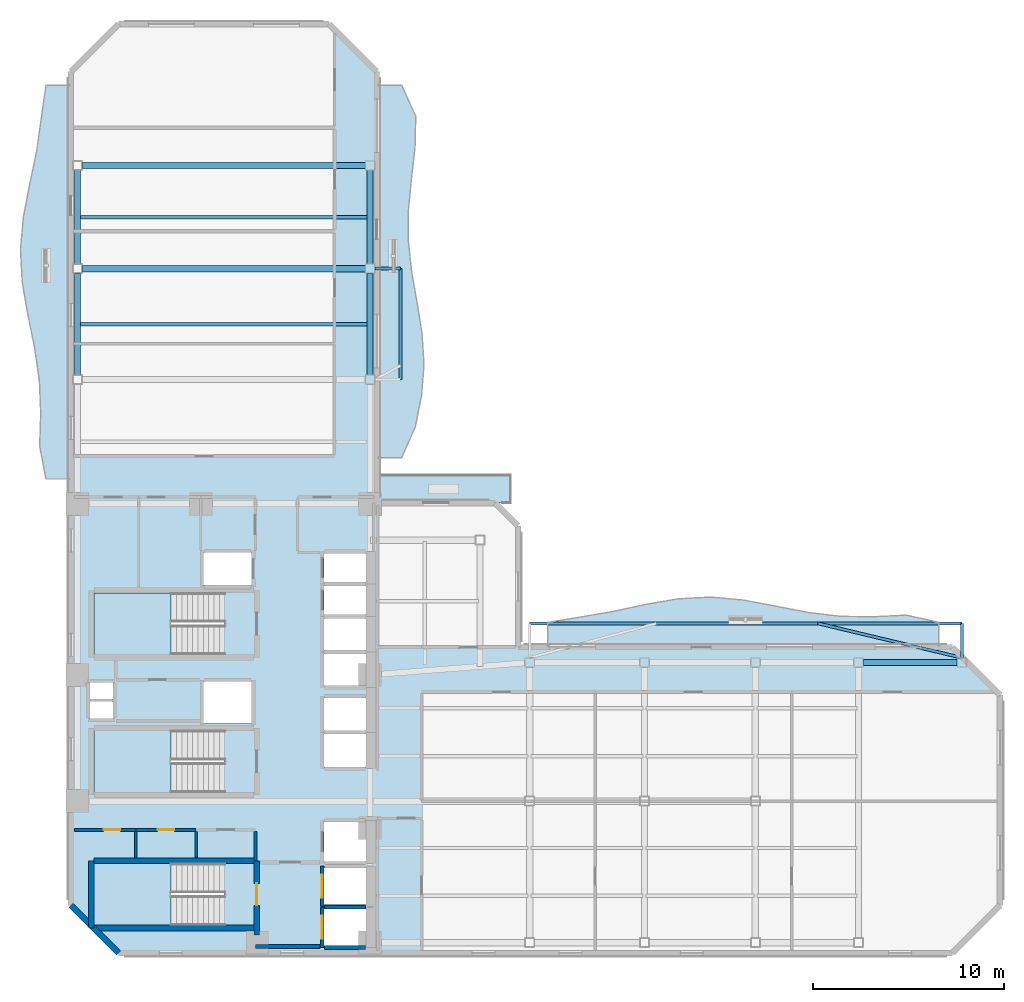
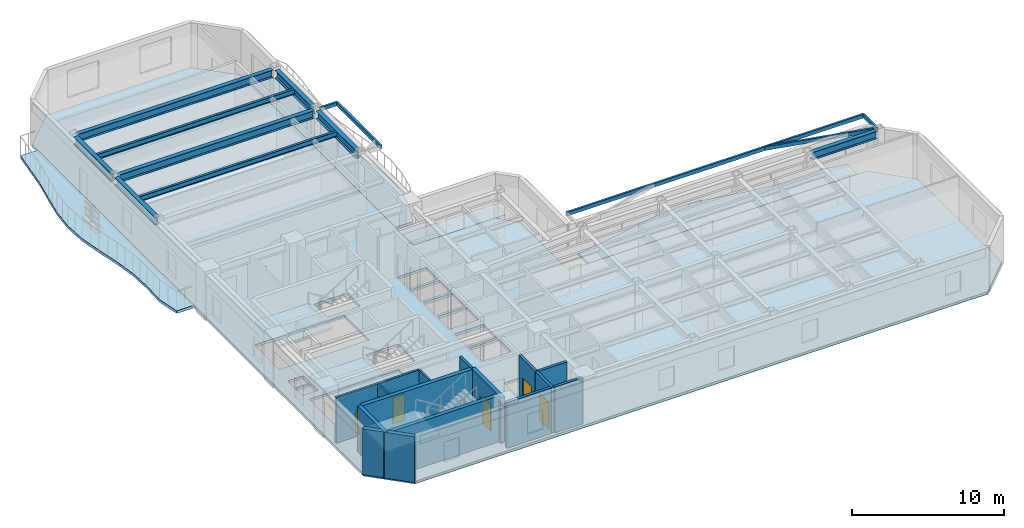
# One storey, part 2 of 12: 15 walls, 14 beams, 8 slabs, 5 doors, 5 openings, 3 elements without a shape of their own.
"""IFC4 building model written with IfcOpenShell, lengths in metres."""

import ifcopenshell
import ifcopenshell.guid

model = None  # the IFC model being written
_history = None  # IfcOwnerHistory: only IFC2X3 demands one
_inside = {}  # id of a spatial element -> (the spatial element, [elements in it])
_under = {}  # id of a project, library or spatial element -> (it, [spatial elements below it])
_declared = {}  # id of a project -> (the project, [libraries it declares])
_typed = {}  # id of a type object -> (the type object, [elements of that type])
_made_of = {}  # id of a material, layer set ... -> (it, [elements and type objects made of it])


def new_model(schema):
    """Start an empty IFC model of exactly this schema.

    Asked for "IFC4X3", IfcOpenShell would pick the latest addendum, in which some entities
    have other attributes; the version numbers below select the first issue.
    IFC2X3 requires an IfcOwnerHistory on every rooted entity: one is made here for all.
    """
    global model, _history
    if schema == "IFC4X3":
        model = ifcopenshell.file(schema_version=(4, 3, 0, 0))
    else:
        model = ifcopenshell.file(schema=schema)
    _inside.clear()
    _under.clear()
    _declared.clear()
    _typed.clear()
    _made_of.clear()
    _history = None
    if model.schema == "IFC2X3":
        org = make("IfcOrganization", Name="unknown")
        user = make(
            "IfcPersonAndOrganization",
            ThePerson=make("IfcPerson", FamilyName="unknown"),
            TheOrganization=org,
        )
        app = make(
            "IfcApplication",
            ApplicationDeveloper=org,
            Version="unknown",
            ApplicationFullName="unknown",
            ApplicationIdentifier="unknown",
        )
        _history = make(
            "IfcOwnerHistory",
            OwningUser=user,
            OwningApplication=app,
            ChangeAction="ADDED",
            CreationDate=0,
        )
    return model


def make(cls, **values):
    """One entity of the class cls with the attributes given. An attribute that is None is left unset."""
    return model.create_entity(
        cls, **{name: value for name, value in values.items() if value is not None}
    )


def rooted(cls, **values):
    """An entity with a GlobalId (a new one), such as an element, a storey or a relation."""
    return make(cls, GlobalId=ifcopenshell.guid.new(), OwnerHistory=_history, **values)


def si_unit(unit_type, name, prefix=None):
    """IfcSIUnit, for example si_unit("LENGTHUNIT", "METRE", prefix="MILLI")."""
    return make("IfcSIUnit", UnitType=unit_type, Prefix=prefix, Name=name)


def assignment(units):
    """IfcUnitAssignment: the units of a project."""
    return None if units is None else make("IfcUnitAssignment", Units=units)


def point(xyz):
    """IfcCartesianPoint."""
    return None if xyz is None else make("IfcCartesianPoint", Coordinates=xyz)


def direction(xyz):
    """IfcDirection."""
    return None if xyz is None else make("IfcDirection", DirectionRatios=xyz)


def frame(location, z_axis=None, x_axis=None):
    """IfcAxis2Placement3D, a coordinate frame: its origin and axes. An axis left out is left unset."""
    return make(
        "IfcAxis2Placement3D",
        Location=point(location),
        Axis=direction(z_axis),
        RefDirection=direction(x_axis),
    )


def frame_2d(location, x_axis=None):
    """IfcAxis2Placement2D, a coordinate frame in the plane: its origin and x axis."""
    return make(
        "IfcAxis2Placement2D", Location=point(location), RefDirection=direction(x_axis)
    )


def origin():
    """The frame at (0, 0, 0) with its axes left unset."""
    return frame((0.0, 0.0, 0.0))


def origin_2d():
    """The frame at (0, 0) in the plane with its x axis left unset."""
    return frame_2d((0.0, 0.0))


def place(relative_to, where):
    """IfcLocalPlacement: puts the frame where relative to a parent placement (None: the world)."""
    return make(
        "IfcLocalPlacement", PlacementRelTo=relative_to, RelativePlacement=where
    )


def context(
    kind, dimensions, precision=None, world=None, true_north=None, identifier=None
):
    """IfcGeometricRepresentationContext, for example the 3D "Model" context."""
    return make(
        "IfcGeometricRepresentationContext",
        ContextIdentifier=identifier,
        ContextType=kind,
        CoordinateSpaceDimension=dimensions,
        Precision=precision,
        WorldCoordinateSystem=world,
        TrueNorth=true_north,
    )


def subcontext(parent, identifier, kind, view, scale=None):
    """IfcGeometricRepresentationSubContext, for example "Body" below "Model"."""
    return make(
        "IfcGeometricRepresentationSubContext",
        ContextIdentifier=identifier,
        ContextType=kind,
        ParentContext=parent,
        TargetScale=scale,
        TargetView=view,
    )


def project(units=None, contexts=None):
    """IfcProject with its units and contexts."""
    return rooted(
        "IfcProject",
        Name="project",
        RepresentationContexts=contexts,
        UnitsInContext=assignment(units),
    )


def spatial(cls, under=None, at=None, **own):
    """A site, building, storey or space (cls), placed at a placement, below another one or the project."""
    s = rooted(cls, ObjectPlacement=at, **own)
    if under is not None:
        _under.setdefault(under.id(), (under, []))[1].append(s)
    return s


def polyline(points):
    """IfcPolyline through the points."""
    return make("IfcPolyline", Points=[point(p) for p in points])


def profile(cls, at=None, kind="AREA", **sizes):
    """A parametric profile (cls). Its sizes go by their IFC names, for example OverallWidth=200.0."""
    return make(cls, ProfileType=kind, Position=at, **sizes)


def rectangle(**sizes):
    """IfcRectangleProfileDef."""
    return profile("IfcRectangleProfileDef", **sizes)


def hollow_rectangle(**sizes):
    """IfcRectangleHollowProfileDef."""
    return profile("IfcRectangleHollowProfileDef", **sizes)


def i_section(**sizes):
    """IfcIShapeProfileDef."""
    return profile("IfcIShapeProfileDef", **sizes)


def outline(outer, holes=None, kind="AREA"):
    """IfcArbitraryClosedProfileDef: a profile drawn as a closed curve; with holes, ...WithVoids."""
    if holes is None:
        return make("IfcArbitraryClosedProfileDef", ProfileType=kind, OuterCurve=outer)
    return make(
        "IfcArbitraryProfileDefWithVoids",
        ProfileType=kind,
        OuterCurve=outer,
        InnerCurves=holes,
    )


def extrude(swept, where, along, depth):
    """IfcExtrudedAreaSolid: the profile swept, set in the frame where, extruded along a direction by depth."""
    return make(
        "IfcExtrudedAreaSolid",
        SweptArea=swept,
        Position=where,
        ExtrudedDirection=direction(along),
        Depth=depth,
    )


def shape(context_of_items, identifier, shape_type, items):
    """IfcShapeRepresentation: the items that make up one representation, for example the "Body"."""
    return make(
        "IfcShapeRepresentation",
        ContextOfItems=context_of_items,
        RepresentationIdentifier=identifier,
        RepresentationType=shape_type,
        Items=items,
    )


def material(Name=None, Category=None):
    """IfcMaterial."""
    return make("IfcMaterial", Name=Name, Category=Category)


def layer(
    of_material, thickness, ventilated=None, Name=None, Category=None, Priority=None
):
    """IfcMaterialLayer: one layer of a wall or slab, of a material (None: an air gap)."""
    return make(
        "IfcMaterialLayer",
        Material=of_material,
        LayerThickness=thickness,
        IsVentilated=ventilated,
        Name=Name,
        Category=Category,
        Priority=Priority,
    )


def layer_set(layers, Name=None):
    """IfcMaterialLayerSet."""
    return make("IfcMaterialLayerSet", MaterialLayers=layers, LayerSetName=Name)


def material_profile(
    of_material, cross_section, Name=None, Category=None, Priority=None
):
    """IfcMaterialProfile: a cross section and its material."""
    return make(
        "IfcMaterialProfile",
        Name=Name,
        Material=of_material,
        Profile=cross_section,
        Priority=Priority,
        Category=Category,
    )


def profile_set(profiles, Name=None, composite=None):
    """IfcMaterialProfileSet."""
    return make(
        "IfcMaterialProfileSet",
        Name=Name,
        MaterialProfiles=profiles,
        CompositeProfile=composite,
    )


def made_of(thing, what):
    """Note that an element or type object is made of a material, layer set ...; save() writes the relation."""
    if what is not None:
        _made_of.setdefault(what.id(), (what, []))[1].append(thing)
    return thing


def type_object(cls, material=None, **own):
    """A type object (cls), such as IfcWallType, which elements share."""
    return made_of(rooted(cls, **own), material)


def element(
    cls,
    number,
    at=None,
    inside=None,
    cuts=None,
    type_object=None,
    material=None,
    context=None,
    identifier="Body",
    shape_type=None,
    held_by="IfcProductDefinitionShape",
    body=None,
    shapes=None,
    **own,
):
    """One element of the class cls, such as IfcWall. Its Tag is "e" and its number.

    at: its placement. inside: the storey or other place that contains it. cuts: it is an
    opening in that element (IfcRelVoidsElement). A single representation is given by context,
    identifier, shape_type and body (its items); several are given by shapes. held_by: the class
    of the entity that holds the representations. save() writes the other relations.
    """
    e = rooted(cls, Tag="e%d" % number, ObjectPlacement=at, **own)
    if body is not None:
        shapes = [shape(context, identifier, shape_type, body)]
    if shapes is not None:
        e.Representation = make(held_by, Representations=shapes)
    if inside is not None:
        _inside.setdefault(inside.id(), (inside, []))[1].append(e)
    if cuts is not None:
        rooted(
            "IfcRelVoidsElement", RelatingBuildingElement=cuts, RelatedOpeningElement=e
        )
    if type_object is not None:
        _typed.setdefault(type_object.id(), (type_object, []))[1].append(e)
    return made_of(e, material)


def fill(opening, filler):
    """IfcRelFillsElement: the door or window that sits in an opening."""
    return rooted(
        "IfcRelFillsElement",
        RelatingOpeningElement=opening,
        RelatedBuildingElement=filler,
    )


def aggregate(whole, parts):
    """IfcRelAggregates: a whole, such as a stair, and the parts it consists of."""
    return rooted("IfcRelAggregates", RelatingObject=whole, RelatedObjects=parts)


def save(model, path):
    """Write the relations noted so far, then the file.

    IfcRelAggregates (storeys below a building ...), IfcRelContainedInSpatialStructure (elements
    in a storey), IfcRelDefinesByType, IfcRelAssociatesMaterial and IfcRelDeclares: one each for
    every whole, place, type object, material and project.
    """
    for whole, parts in _under.values():
        aggregate(whole, parts)
    for where, things in _inside.values():
        rooted(
            "IfcRelContainedInSpatialStructure",
            RelatedElements=things,
            RelatingStructure=where,
        )
    for kind, things in _typed.values():
        rooted("IfcRelDefinesByType", RelatedObjects=things, RelatingType=kind)
    for what, things in _made_of.values():
        rooted("IfcRelAssociatesMaterial", RelatedObjects=things, RelatingMaterial=what)
    for by, libraries in _declared.values():
        rooted("IfcRelDeclares", RelatingContext=by, RelatedDefinitions=libraries)
    model.write(path)


model = new_model("IFC4")

# Units and contexts
model_context = context("Model", 3, precision=1e-05, world=origin(), true_north=direction((0.0, 1.0)))
body_context = subcontext(model_context, "Body", "Model", "MODEL_VIEW")
ifc_project = project(units=[si_unit("LENGTHUNIT", "METRE"), si_unit("AREAUNIT", "SQUARE_METRE"), si_unit("VOLUMEUNIT", "CUBIC_METRE"), si_unit("PLANEANGLEUNIT", "RADIAN"), si_unit("MASSUNIT", "GRAM", prefix="KILO")], contexts=[model_context])

# Site, building, storey
site_placement = place(None, origin())
site = spatial("IfcSite", under=ifc_project, at=site_placement, CompositionType="ELEMENT")
building_placement = place(site_placement, origin())
building = spatial("IfcBuilding", under=site, at=building_placement, Name="Mawjaban Terraces University", CompositionType="ELEMENT")
storey_placement = place(building_placement, frame((0.0, 0.0, 150.199951171875)))
storey = spatial("IfcBuildingStorey", under=building, at=storey_placement, Name="L36", CompositionType="ELEMENT", Elevation=150.199951171875)

# Beams
ifc_material_1 = material(Name="Steel EN 10210-1 S355J2H", Category="steel")
ifc_material_profile_1 = material_profile(ifc_material_1, hollow_rectangle(XDim=0.14990234375, YDim=0.300048828125, WallThickness=0.012451171875, at=origin_2d()), Name="RHS300X150X12.5")
ifc_profile_set_1 = profile_set([ifc_material_profile_1], Name="Steel EN 10210-1 S355J2H")
beam_type_1 = type_object("IfcBeamType", Name="BalconyCantileverSpandrel_RHS", PredefinedType="SPANDREL", material=ifc_profile_set_1)
beam_1_placement = place(storey_placement, frame((68.60009765625, 15.449951171875, 3.5400390625), z_axis=(0.0, 1.0, 0.0), x_axis=(-1.0, 0.0, 0.0)))
element("IfcBeam", 1, at=beam_1_placement, inside=storey, type_object=beam_type_1, Name="L36 Exterior Outrigger BAL-L37-N.2", PredefinedType="SPANDREL", context=body_context, shape_type="SweptSolid", body=[
    extrude(hollow_rectangle(XDim=0.14990234375, YDim=0.300048828125, WallThickness=0.012451171875, at=origin_2d()), origin(), (0.0, 0.0, 1.0), 1.800048828125),
])
beam_2_placement = place(storey_placement, frame((46.0, 17.25, 3.5400390625), z_axis=(1.0, 0.0, 0.0), x_axis=(0.0, 1.0, 0.0)))
element("IfcBeam", 2, at=beam_2_placement, inside=storey, type_object=beam_type_1, Name="L36 Exterior Edge Spandrel BAL-L37-N", PredefinedType="SPANDREL", context=body_context, shape_type="SweptSolid", body=[
    extrude(hollow_rectangle(XDim=0.14990234375, YDim=0.300048828125, WallThickness=0.012451171875, at=origin_2d()), origin(), (0.0, 0.0, 1.0), 22.60009765625),
])
beam_3_placement = place(storey_placement, frame((68.60009765625, 15.449951171875, 3.5400390625), z_axis=(-0.972610352435, 0.232441610596, 0.0), x_axis=(-0.232441610596, -0.972610352435, 0.0)))
element("IfcBeam", 3, at=beam_3_placement, inside=storey, type_object=beam_type_1, Name="L36 Exterior Diagonal Strut BAL-L37-N.2", PredefinedType="SPANDREL", context=body_context, shape_type="SweptSolid", body=[
    extrude(hollow_rectangle(XDim=0.14990234375, YDim=0.300048828125, WallThickness=0.012451171875, at=origin_2d()), origin(), (0.0, 0.0, 1.0), 7.744140625),
])
beam_4_placement = place(storey_placement, frame((37.89990234375, 35.800048828125, 3.5400390625), z_axis=(1.0, 0.0, 0.0), x_axis=(0.0, 1.0, 0.0)))
element("IfcBeam", 4, at=beam_4_placement, inside=storey, type_object=beam_type_1, Name="L36 Exterior Outrigger BAL-L37-E.2", PredefinedType="SPANDREL", context=body_context, shape_type="SweptSolid", body=[
    extrude(hollow_rectangle(XDim=0.14990234375, YDim=0.300048828125, WallThickness=0.012451171875, at=origin_2d()), origin(), (0.0, 0.0, 1.0), 1.35009765625),
])
beam_5_placement = place(storey_placement, frame((39.25, 30.0, 3.5400390625), z_axis=(0.0, 1.0, 0.0), x_axis=(-1.0, 0.0, 0.0)))
element("IfcBeam", 5, at=beam_5_placement, inside=storey, type_object=beam_type_1, Name="L36 Exterior Edge Spandrel BAL-L37-E", PredefinedType="SPANDREL", context=body_context, shape_type="SweptSolid", body=[
    extrude(hollow_rectangle(XDim=0.14990234375, YDim=0.300048828125, WallThickness=0.012451171875, at=origin_2d()), origin(), (0.0, 0.0, 1.0), 5.800048828125),
])
ifc_material_2 = material(Name="Steel ASTM A572 Grade 50", Category="steel")
ifc_material_profile_2 = material_profile(ifc_material_2, i_section(OverallWidth=0.324951171875, OverallDepth=0.615966796875, WebThickness=0.013916015625, FlangeThickness=0.021484375, at=origin_2d()), Name="W610X174")
ifc_profile_set_2 = profile_set([ifc_material_profile_2], Name="Steel ASTM A572 Grade 50")
beam_type_2 = type_object("IfcBeamType", Name="Beam_B_W610X174", PredefinedType="BEAM", material=ifc_profile_set_2)
beam_6_placement = place(storey_placement, frame((63.449951171875, 15.199951171875, 3.382080078125), z_axis=(1.0, 0.0, 0.0), x_axis=(0.0, 1.0, 0.0)))
element("IfcBeam", 6, at=beam_6_placement, inside=storey, type_object=beam_type_2, Name="L36 Beam BM-L36-EW-11", PredefinedType="BEAM", context=body_context, shape_type="SweptSolid", body=[
    extrude(i_section(OverallWidth=0.324951171875, OverallDepth=0.615966796875, WebThickness=0.013916015625, FlangeThickness=0.021484375, at=origin_2d()), origin(), (0.0, 0.0, 1.0), 4.900146484375),
])
for number, where, z_axis, x_axis, name in (
    (7, (22.60009765625, 35.800048828125, 3.382080078125), (1.0, 0.0, 0.0), (0.0, 1.0, 0.0), "L36 Beam BM-L36-EW-15"),
    (8, (22.60009765625, 41.199951171875, 3.382080078125), (1.0, 0.0, 0.0), (0.0, 1.0, 0.0), "L36 Beam BM-L36-EW-16"),
):
    element("IfcBeam", number, at=place(storey_placement, frame(where, z_axis=z_axis, x_axis=x_axis)), inside=storey, type_object=beam_type_2, Name=name, PredefinedType="BEAM", context=body_context, shape_type="SweptSolid", body=[
        extrude(i_section(OverallWidth=0.324951171875, OverallDepth=0.615966796875, WebThickness=0.013916015625, FlangeThickness=0.021484375, at=origin_2d()), origin(), (0.0, 0.0, 1.0), 14.7998046875),
    ])
beam_7_placement = place(storey_placement, frame((22.35009765625, 30.25, 3.382080078125), z_axis=(0.0, 1.0, 0.0), x_axis=(-1.0, 0.0, 0.0)))
element("IfcBeam", 9, at=beam_7_placement, inside=storey, type_object=beam_type_2, Name="L36 Beam BM-L36-NS-04", PredefinedType="BEAM", context=body_context, shape_type="SweptSolid", body=[
    extrude(i_section(OverallWidth=0.324951171875, OverallDepth=0.615966796875, WebThickness=0.013916015625, FlangeThickness=0.021484375, at=origin_2d()), origin(), (0.0, 0.0, 1.0), 5.300048828125),
])
beam_8_placement = place(storey_placement, frame((22.35009765625, 36.050048828125, 3.382080078125), z_axis=(0.0, 1.0, 0.0), x_axis=(-1.0, 0.0, 0.0)))
element("IfcBeam", 10, at=beam_8_placement, inside=storey, type_object=beam_type_2, Name="L36 Beam BM-L36-NS-05", PredefinedType="BEAM", context=body_context, shape_type="SweptSolid", body=[
    extrude(i_section(OverallWidth=0.324951171875, OverallDepth=0.615966796875, WebThickness=0.013916015625, FlangeThickness=0.021484375, at=origin_2d()), origin(), (0.0, 0.0, 1.0), 4.89990234375),
])
beam_9_placement = place(storey_placement, frame((37.64990234375, 30.25, 3.382080078125), z_axis=(0.0, 1.0, 0.0), x_axis=(-1.0, 0.0, 0.0)))
element("IfcBeam", 11, at=beam_9_placement, inside=storey, type_object=beam_type_2, Name="L36 Beam BM-L36-NS-10", PredefinedType="BEAM", context=body_context, shape_type="SweptSolid", body=[
    extrude(i_section(OverallWidth=0.324951171875, OverallDepth=0.615966796875, WebThickness=0.013916015625, FlangeThickness=0.021484375, at=origin_2d()), origin(), (0.0, 0.0, 1.0), 5.300048828125),
])
beam_10_placement = place(storey_placement, frame((37.64990234375, 36.050048828125, 3.382080078125), z_axis=(0.0, 1.0, 0.0), x_axis=(-1.0, 0.0, 0.0)))
element("IfcBeam", 12, at=beam_10_placement, inside=storey, type_object=beam_type_2, Name="L36 Beam BM-L36-NS-11", PredefinedType="BEAM", context=body_context, shape_type="SweptSolid", body=[
    extrude(i_section(OverallWidth=0.324951171875, OverallDepth=0.615966796875, WebThickness=0.013916015625, FlangeThickness=0.021484375, at=origin_2d()), origin(), (0.0, 0.0, 1.0), 4.89990234375),
])
ifc_material_profile_3 = material_profile(ifc_material_2, i_section(OverallWidth=0.179931640625, OverallDepth=0.4130859375, WebThickness=0.009765625, FlangeThickness=0.01611328125, at=origin_2d()), Name="W410X74")
ifc_profile_set_3 = profile_set([ifc_material_profile_3], Name="Steel ASTM A572 Grade 50")
beam_type_3 = type_object("IfcBeamType", Name="Beam_J_W410X74", PredefinedType="JOIST", material=ifc_profile_set_3)
for number, where, z_axis, x_axis, name in (
    (13, (22.429931640625, 32.89990234375, 3.483154296875), (1.0, 0.0, 0.0), (0.0, 1.0, 0.0), "L36 Composite Joist JST-L36-19"),
    (14, (22.429931640625, 38.5, 3.483154296875), (1.0, 0.0, 0.0), (0.0, 1.0, 0.0), "L36 Composite Joist JST-L36-20"),
):
    element("IfcBeam", number, at=place(storey_placement, frame(where, z_axis=z_axis, x_axis=x_axis)), inside=storey, type_object=beam_type_3, Name=name, PredefinedType="JOIST", context=body_context, shape_type="SweptSolid", body=[
        extrude(i_section(OverallWidth=0.179931640625, OverallDepth=0.4130859375, WebThickness=0.009765625, FlangeThickness=0.01611328125, at=origin_2d()), origin(), (0.0, 0.0, 1.0), 15.14013671875),
    ])

# Slabs
ifc_material_3 = material(Name="Concrete C40/50", Category="concrete")
ifc_layer_1 = layer(ifc_material_3, 0.2099609375)
ifc_layer_set_1 = layer_set([ifc_layer_1], Name="Concrete C40/50")
slab_type_1 = type_object("IfcSlabType", Name="BalconySlab_210_Ext", PredefinedType="FLOOR", material=ifc_layer_set_1)
slab_1_placement = place(storey_placement, frame((0.0, 0.0, -0.2099609375)))
element("IfcSlab", 15, at=slab_1_placement, inside=storey, type_object=slab_type_1, Name="L36 Planted Balcony Slab west", PredefinedType="FLOOR", context=body_context, shape_type="SweptSolid", body=[
    extrude(outline(polyline([(22.010009765625, 24.800048828125), (22.010009765625, 45.39990234375), (20.699951171875, 45.39990234375), (20.4599609375, 43.68310546875), (20.214111328125, 41.967041015625), (19.85693359375, 40.25), (19.52392578125, 38.532958984375), (19.365966796875, 36.81689453125), (19.458984375, 35.10009765625), (19.7529296875, 33.383056640625), (20.10498046875, 31.6669921875), (20.35595703125, 29.949951171875), (20.425048828125, 28.23291015625), (20.37109375, 26.51708984375), (20.699951171875, 24.800048828125), (22.010009765625, 24.800048828125)])), origin(), (0.0, 0.0, 1.0), 0.2099609375),
])
slab_2_placement = place(storey_placement, frame((0.0, 0.0, -0.2099609375)))
element("IfcSlab", 16, at=slab_2_placement, inside=storey, type_object=slab_type_1, Name="L36 Planted Balcony Slab inner_north", PredefinedType="FLOOR", context=body_context, shape_type="SweptSolid", body=[
    extrude(outline(polyline([(46.946044921875, 15.989990234375), (67.39990234375, 15.989990234375), (67.39990234375, 17.300048828125), (65.696044921875, 17.677001953125), (63.990966796875, 17.597900390625), (62.287109375, 17.614013671875), (60.58203125, 17.81396484375), (58.8779296875, 18.14697265625), (57.173095703125, 18.468017578125), (55.468994140625, 18.623046875), (53.763916015625, 18.532958984375), (52.05908203125, 18.237060546875), (50.35498046875, 17.87109375), (48.65087890625, 17.577880859375), (46.946044921875, 17.300048828125), (46.946044921875, 15.989990234375)])), origin(), (0.0, 0.0, 1.0), 0.2099609375),
])
slab_3_placement = place(storey_placement, frame((0.0, 0.0, -0.2099609375)))
element("IfcSlab", 17, at=slab_3_placement, inside=storey, type_object=slab_type_1, Name="L36 Planted Balcony Slab inner_east", PredefinedType="FLOOR", context=body_context, shape_type="SweptSolid", body=[
    extrude(outline(polyline([(39.300048828125, 25.89990234375), (40.013916015625, 27.52490234375), (40.342041015625, 29.14990234375), (40.469970703125, 30.77490234375), (40.3701171875, 32.39990234375), (40.10888671875, 34.02490234375), (39.822998046875, 35.64990234375), (39.64794921875, 37.27490234375), (39.657958984375, 38.89990234375), (39.81689453125, 40.52490234375), (40.0009765625, 42.14990234375), (40.0380859375, 43.77490234375), (39.300048828125, 45.39990234375), (37.989990234375, 45.39990234375), (37.989990234375, 25.89990234375), (39.300048828125, 25.89990234375)])), origin(), (0.0, 0.0, 1.0), 0.2099609375),
])
ifc_layer_2 = layer(ifc_material_3, 0.2099609375)
ifc_layer_set_2 = layer_set([ifc_layer_2], Name="Concrete C40/50")
slab_type_2 = type_object("IfcSlabType", Name="CompositeSlab_210", PredefinedType="FLOOR", material=ifc_layer_set_2)
slab_4_placement = place(storey_placement, frame((0.0, 0.0, -0.2099609375)))
element("IfcSlab", 18, at=slab_4_placement, inside=storey, type_object=slab_type_2, Name="L36 Primary Structural Slab", PredefinedType="FLOOR", context=body_context, shape_type="SweptSolid", body=[
    extrude(outline(polyline([(24.5, 0.0), (68.10009765625, 0.0), (70.60009765625, 2.5), (70.60009765625, 13.5), (68.10009765625, 16.0), (45.39404296875, 16.0), (45.39404296875, 22.35009765625), (44.194091796875, 23.550048828125), (38.0, 23.550048828125), (38.0, 46.10009765625), (35.5, 48.60009765625), (24.5, 48.60009765625), (22.0, 46.10009765625), (22.0, 2.5), (24.5, 0.0)]), holes=[polyline([(30.014892578125, 4.699951171875), (23.199951171875, 4.699951171875), (23.199951171875, 1.449951171875), (30.014892578125, 1.449951171875), (30.014892578125, 4.699951171875)]), polyline([(30.014892578125, 18.85009765625), (23.199951171875, 18.85009765625), (23.199951171875, 15.60009765625), (30.014892578125, 15.60009765625), (30.014892578125, 18.85009765625)]), polyline([(30.014892578125, 11.64990234375), (23.199951171875, 11.64990234375), (23.199951171875, 8.39990234375), (30.014892578125, 8.39990234375), (30.014892578125, 11.64990234375)]), polyline([(35.25, 0.39990234375), (37.449951171875, 0.39990234375), (37.449951171875, 2.300048828125), (35.25, 2.300048828125), (35.25, 0.39990234375)]), polyline([(35.25, 2.550048828125), (37.449951171875, 2.550048828125), (37.449951171875, 4.449951171875), (35.25, 4.449951171875), (35.25, 2.550048828125)]), polyline([(35.25, 4.800048828125), (37.449951171875, 4.800048828125), (37.449951171875, 6.85009765625), (35.25, 6.85009765625), (35.25, 4.800048828125)]), polyline([(35.25, 9.75), (37.449951171875, 9.75), (37.449951171875, 11.449951171875), (35.25, 11.449951171875), (35.25, 9.75)]), polyline([(35.25, 11.64990234375), (37.449951171875, 11.64990234375), (37.449951171875, 13.35009765625), (35.25, 13.35009765625), (35.25, 11.64990234375)]), polyline([(28.949951171875, 12.0), (31.449951171875, 12.0), (31.449951171875, 14.199951171875), (28.949951171875, 14.199951171875), (28.949951171875, 12.0)]), polyline([(35.25, 14.0), (37.449951171875, 14.0), (37.449951171875, 15.64990234375), (35.25, 15.64990234375), (35.25, 14.0)]), polyline([(35.25, 15.85009765625), (37.449951171875, 15.85009765625), (37.449951171875, 17.5), (35.25, 17.5), (35.25, 15.85009765625)]), polyline([(35.25, 17.699951171875), (37.449951171875, 17.699951171875), (37.449951171875, 19.199951171875), (35.25, 19.199951171875), (35.25, 17.699951171875)]), polyline([(35.25, 19.39990234375), (37.449951171875, 19.39990234375), (37.449951171875, 20.89990234375), (35.25, 20.89990234375), (35.25, 19.39990234375)]), polyline([(28.949951171875, 19.25), (31.449951171875, 19.25), (31.449951171875, 20.949951171875), (28.949951171875, 20.949951171875), (28.949951171875, 19.25)]), polyline([(23.0, 12.25), (24.199951171875, 12.25), (24.199951171875, 13.14990234375), (23.0, 13.14990234375), (23.0, 12.25)]), polyline([(23.0, 13.300048828125), (24.199951171875, 13.300048828125), (24.199951171875, 14.179931640625), (23.0, 14.179931640625), (23.0, 13.300048828125)])]), origin(), (0.0, 0.0, 1.0), 0.2099609375),
])

# Stair, slab
stair_type = type_object("IfcStairType", Name="Stair_Core1550_H39", PredefinedType="HALF_TURN_STAIR", material=ifc_material_3)
stair_1_placement = place(storey_placement, origin())
stair_1 = element("IfcStair", 19, at=stair_1_placement, inside=storey, type_object=stair_type, Name="L36 Core Exit Stair 1", PredefinedType="HALF_TURN_STAIR")
ifc_layer_3 = layer(ifc_material_3, 0.199951171875)
ifc_layer_set_3 = layer_set([ifc_layer_3], Name="Concrete C40/50")
slab_type_3 = type_object("IfcSlabType", Name="StairLandingSlab_200", PredefinedType="LANDING", material=ifc_layer_set_3)
slab_5_placement = place(storey_placement, frame((0.0, 0.0, 1.75)))
slab_5 = element("IfcSlab", 20, at=slab_5_placement, type_object=slab_type_3, Name="ST-1 landing 1", PredefinedType="LANDING", context=body_context, shape_type="SweptSolid", body=[
    extrude(outline(polyline([(27.25, 4.699951171875), (23.199951171875, 4.699951171875), (23.199951171875, 1.449951171875), (27.25, 1.449951171875), (27.25, 4.699951171875)])), origin(), (0.0, 0.0, 1.0), 0.199951171875),
])
aggregate(stair_1, [slab_5])

stair_2_placement = place(storey_placement, origin())
stair_2 = element("IfcStair", 21, at=stair_2_placement, inside=storey, type_object=stair_type, Name="L36 Core Exit Stair 2", PredefinedType="HALF_TURN_STAIR")
slab_6_placement = place(storey_placement, frame((0.0, 0.0, 1.75)))
slab_6 = element("IfcSlab", 22, at=slab_6_placement, type_object=slab_type_3, Name="ST-2 landing 1", PredefinedType="LANDING", context=body_context, shape_type="SweptSolid", body=[
    extrude(outline(polyline([(27.25, 18.85009765625), (23.199951171875, 18.85009765625), (23.199951171875, 15.60009765625), (27.25, 15.60009765625), (27.25, 18.85009765625)])), origin(), (0.0, 0.0, 1.0), 0.199951171875),
])
aggregate(stair_2, [slab_6])

stair_3_placement = place(storey_placement, origin())
stair_3 = element("IfcStair", 23, at=stair_3_placement, inside=storey, type_object=stair_type, Name="L36 Core Exit Stair 3", PredefinedType="HALF_TURN_STAIR")
slab_7_placement = place(storey_placement, frame((0.0, 0.0, 1.75)))
slab_7 = element("IfcSlab", 24, at=slab_7_placement, type_object=slab_type_3, Name="ST-3 landing 1", PredefinedType="LANDING", context=body_context, shape_type="SweptSolid", body=[
    extrude(outline(polyline([(27.25, 11.64990234375), (23.199951171875, 11.64990234375), (23.199951171875, 8.39990234375), (27.25, 8.39990234375), (27.25, 11.64990234375)])), origin(), (0.0, 0.0, 1.0), 0.199951171875),
])
aggregate(stair_3, [slab_7])

# Slab
ifc_layer_4 = layer(ifc_material_3, 0.2099609375)
ifc_layer_set_4 = layer_set([ifc_layer_4], Name="Concrete C40/50")
slab_type_4 = type_object("IfcSlabType", Name="StudyTerraceSlab_210_Ext", PredefinedType="FLOOR", material=ifc_layer_set_4)
slab_8_placement = place(storey_placement, frame((0.0, 0.0, -0.2099609375)))
element("IfcSlab", 25, at=slab_8_placement, inside=storey, type_object=slab_type_4, Name="L36 Exterior Study Terrace Slab", PredefinedType="FLOOR", context=body_context, shape_type="SweptSolid", body=[
    extrude(outline(polyline([(38.0, 23.550048828125), (44.993896484375, 23.550048828125), (44.993896484375, 25.0), (38.0, 25.0), (38.0, 23.550048828125)])), origin(), (0.0, 0.0, 1.0), 0.2099609375),
])

# Wall, opening, door
ifc_material_4 = material(Name="Fire-rated gypsum board on steel stud", Category="steel")
ifc_layer_5 = layer(ifc_material_4, 0.159912109375)
ifc_layer_set_5 = layer_set([ifc_layer_5], Name="Fire-rated gypsum board on steel stud")
wall_type_1 = type_object("IfcWallType", Name="CorridorPartition_160", PredefinedType="PARTITIONING", material=ifc_layer_set_5)
wall_1_placement = place(storey_placement, frame((22.199951171875, 6.449951171875, 0.0), z_axis=(0.0, 0.0, 1.0), x_axis=(1.0, 0.0, 0.0)))
wall_1 = element("IfcWall", 26, at=wall_1_placement, inside=storey, type_object=wall_type_1, Name="L36 Core Washroom Lobby Partition 1", PredefinedType="PARTITIONING", context=body_context, shape_type="SweptSolid", body=[
    extrude(rectangle(XDim=3.199951171875, YDim=0.159912109375, at=frame_2d((1.60009765625, 0.0))), origin(), (0.0, 0.0, 1.0), 3.68994140625),
])
opening_1_placement = place(wall_1_placement, frame((1.510009765625, 0.0, 0.0)))
opening_1 = element("IfcOpeningElement", 27, at=opening_1_placement, cuts=wall_1, Name="Opening ID-088", PredefinedType="OPENING", context=body_context, shape_type="SweptSolid", body=[
    extrude(rectangle(XDim=0.8798828125, YDim=2.10009765625, at=frame_2d((0.43994140625, 1.050048828125))), frame((0.0, 0.08984375, 0.0), z_axis=(0.0, -1.0, 0.0), x_axis=(1.0, 0.0, 0.0)), (0.0, 0.0, 1.0), 0.179931640625),
])
ifc_material_5 = material(Name="Powder-coated steel frame and solid acoustic timber leaf", Category="steel")
door_type_1 = type_object("IfcDoorType", Name="ToiletDoor_880x2100", OperationType="NOTDEFINED", PredefinedType="DOOR", material=ifc_material_5)
door_1_placement = place(opening_1_placement, origin())
door_1 = element("IfcDoor", 28, at=door_1_placement, inside=storey, type_object=door_type_1, Name="L36 Male Toilet Door", OperationType="SINGLE_SWING_LEFT", OverallHeight=2.10009765625, OverallWidth=0.8798828125, PredefinedType="DOOR", context=body_context, shape_type="SweptSolid", body=[
    extrude(rectangle(XDim=0.8798828125, YDim=2.10009765625, at=frame_2d((0.43994140625, 1.050048828125))), frame((0.0, 0.02490234375, 0.0), z_axis=(0.0, -1.0, 0.0), x_axis=(1.0, 0.0, 0.0)), (0.0, 0.0, 1.0), 0.050048828125),
])
fill(opening_1, door_1)

wall_2_placement = place(storey_placement, frame((25.39990234375, 6.449951171875, 0.0), z_axis=(0.0, 0.0, 1.0), x_axis=(1.0, 0.0, 0.0)))
wall_2 = element("IfcWall", 29, at=wall_2_placement, inside=storey, type_object=wall_type_1, Name="L36 Core Washroom Lobby Partition 4", PredefinedType="PARTITIONING", context=body_context, shape_type="SweptSolid", body=[
    extrude(rectangle(XDim=3.150146484375, YDim=0.159912109375, at=frame_2d((1.5751953125, 0.0))), origin(), (0.0, 0.0, 1.0), 3.68994140625),
])
opening_2_placement = place(wall_2_placement, frame((1.135009765625, 0.0, 0.0)))
opening_2 = element("IfcOpeningElement", 30, at=opening_2_placement, cuts=wall_2, Name="Opening ID-088", PredefinedType="OPENING", context=body_context, shape_type="SweptSolid", body=[
    extrude(rectangle(XDim=0.8798828125, YDim=2.10009765625, at=frame_2d((0.43994140625, 1.050048828125))), frame((0.0, 0.08984375, 0.0), z_axis=(0.0, -1.0, 0.0), x_axis=(1.0, 0.0, 0.0)), (0.0, 0.0, 1.0), 0.179931640625),
])
door_2_placement = place(opening_2_placement, origin())
door_2 = element("IfcDoor", 31, at=door_2_placement, inside=storey, type_object=door_type_1, Name="L36 Female Toilet Door", OperationType="SINGLE_SWING_RIGHT", OverallHeight=2.10009765625, OverallWidth=0.8798828125, PredefinedType="DOOR", context=body_context, shape_type="SweptSolid", body=[
    extrude(rectangle(XDim=0.8798828125, YDim=2.10009765625, at=frame_2d((0.43994140625, 1.050048828125))), frame((0.0, 0.02490234375, 0.0), z_axis=(0.0, -1.0, 0.0), x_axis=(1.0, 0.0, 0.0)), (0.0, 0.0, 1.0), 0.050048828125),
])
fill(opening_2, door_2)

# Walls
wall_3_placement = place(storey_placement, frame((31.64990234375, 4.860107421875, 0.0), z_axis=(0.0, 0.0, 1.0), x_axis=(0.0, 1.0, 0.0)))
element("IfcWall", 32, at=wall_3_placement, inside=storey, type_object=wall_type_1, Name="L36 Accessible Toilet Partition 31", PredefinedType="PARTITIONING", context=body_context, shape_type="SweptSolid", body=[
    extrude(rectangle(XDim=1.514892578125, YDim=0.159912109375, at=frame_2d((0.75732421875, 0.0))), origin(), (0.0, 0.0, 1.0), 3.68994140625),
])
ifc_material_6 = material(Name="Insulated terracotta rainscreen on concrete backup C40/50", Category="masonry")
ifc_layer_6 = layer(ifc_material_6, 0.300048828125)
ifc_layer_set_6 = layer_set([ifc_layer_6], Name="Insulated terracotta rainscreen on concrete backup C40/50")
wall_type_2 = type_object("IfcWallType", Name="ExtTerracottaWall_300", PredefinedType="SOLIDWALL", material=ifc_layer_set_6)
wall_4_placement = place(storey_placement, frame((22.0, 2.5, 0.0), z_axis=(0.0, 0.0, 1.0), x_axis=(0.707106781187, -0.707106781187, 0.0)))
element("IfcWall", 33, at=wall_4_placement, inside=storey, type_object=wall_type_2, Name="L36 Exterior Terracotta Wall 14", PredefinedType="SOLIDWALL", context=body_context, shape_type="SweptSolid", body=[
    extrude(rectangle(XDim=3.53564453125, YDim=0.300048828125, at=frame_2d((1.767822265625, 0.0))), origin(), (0.0, 0.0, 1.0), 3.68994140625),
])

# Wall, opening, door
ifc_layer_7 = layer(ifc_material_3, 0.199951171875)
ifc_layer_set_7 = layer_set([ifc_layer_7], Name="Concrete C40/50")
wall_type_3 = type_object("IfcWallType", Name="FireLobbyWall_200", PredefinedType="SOLIDWALL", material=ifc_layer_set_7)
wall_5_placement = place(storey_placement, frame((35.14990234375, 2.39990234375, 0.0), z_axis=(0.0, 0.0, 1.0), x_axis=(0.0, -1.0, 0.0)))
wall_5 = element("IfcWall", 34, at=wall_5_placement, inside=storey, type_object=wall_type_3, Name="L36 Lift FL-1 Hoistway Wall West", PredefinedType="SOLIDWALL", context=body_context, shape_type="SweptSolid", body=[
    extrude(rectangle(XDim=2.099853515625, YDim=0.199951171875, at=frame_2d((1.0498046875, 0.0))), origin(), (0.0, 0.0, 1.0), 3.68994140625),
])
opening_3_placement = place(wall_5_placement, frame((0.449951171875, 0.0, 0.0)))
opening_3 = element("IfcOpeningElement", 35, at=opening_3_placement, cuts=wall_5, Name="Opening LD-FL-1", PredefinedType="OPENING", context=body_context, shape_type="SweptSolid", body=[
    extrude(rectangle(XDim=1.199951171875, YDim=2.14990234375, at=frame_2d((0.60009765625, 1.074951171875))), frame((0.0, 0.10986328125, 0.0), z_axis=(0.0, -1.0, 0.0), x_axis=(1.0, 0.0, 0.0)), (0.0, 0.0, 1.0), 0.219970703125),
])
ifc_material_7 = material(Name="Powder-coated steel frame and fire-rated steel-faced leaf", Category="steel")
door_type_2 = type_object("IfcDoorType", Name="LiftLandingFSAE_1200x2150", OperationType="NOTDEFINED", PredefinedType="DOOR", material=ifc_material_7)
door_3_placement = place(opening_3_placement, origin())
door_3 = element("IfcDoor", 36, at=door_3_placement, inside=storey, type_object=door_type_2, Name="L36 Lift FL-1 Sliding Landing Door", OperationType="DOUBLE_DOOR_SLIDING", OverallHeight=2.14990234375, OverallWidth=1.199951171875, PredefinedType="DOOR", context=body_context, shape_type="SweptSolid", body=[
    extrude(rectangle(XDim=1.199951171875, YDim=2.14990234375, at=frame_2d((0.60009765625, 1.074951171875))), frame((0.0, 0.02490234375, 0.0), z_axis=(0.0, -1.0, 0.0), x_axis=(1.0, 0.0, 0.0)), (0.0, 0.0, 1.0), 0.050048828125),
])
fill(opening_3, door_3)

# Walls
for number, where, z_axis, x_axis, name in (
    (37, (35.280029296875, 0.300048828125, 0.0), (0.0, 0.0, 1.0), (1.0, 0.0, 0.0), "L36 Lift FL-1 Hoistway Wall South"),
    (38, (37.419921875, 2.39990234375, 0.0), (0.0, 0.0, 1.0), (-1.0, 0.0, 0.0), "L36 Lift FL-1 Hoistway Wall North"),
):
    element("IfcWall", number, at=place(storey_placement, frame(where, z_axis=z_axis, x_axis=x_axis)), inside=storey, type_object=wall_type_3, Name=name, PredefinedType="SOLIDWALL", context=body_context, shape_type="SweptSolid", body=[
        extrude(rectangle(XDim=2.139892578125, YDim=0.199951171875, at=frame_2d((1.06982421875, 0.0))), origin(), (0.0, 0.0, 1.0), 3.68994140625),
    ])

# Wall, opening, door
wall_6_placement = place(storey_placement, frame((35.14990234375, 4.550048828125, 0.0), z_axis=(0.0, 0.0, 1.0), x_axis=(0.0, -1.0, 0.0)))
wall_6 = element("IfcWall", 39, at=wall_6_placement, inside=storey, type_object=wall_type_3, Name="L36 Lift FL-2 Hoistway Wall West", PredefinedType="SOLIDWALL", context=body_context, shape_type="SweptSolid", body=[
    extrude(rectangle(XDim=2.10009765625, YDim=0.199951171875, at=frame_2d((1.050048828125, 0.0))), origin(), (0.0, 0.0, 1.0), 3.68994140625),
])
opening_4_placement = place(wall_6_placement, frame((0.449951171875, 0.0, 0.0)))
opening_4 = element("IfcOpeningElement", 40, at=opening_4_placement, cuts=wall_6, Name="Opening LD-FL-2", PredefinedType="OPENING", context=body_context, shape_type="SweptSolid", body=[
    extrude(rectangle(XDim=1.199951171875, YDim=2.14990234375, at=frame_2d((0.60009765625, 1.074951171875))), frame((0.0, 0.10986328125, 0.0), z_axis=(0.0, -1.0, 0.0), x_axis=(1.0, 0.0, 0.0)), (0.0, 0.0, 1.0), 0.219970703125),
])
door_4_placement = place(opening_4_placement, origin())
door_4 = element("IfcDoor", 41, at=door_4_placement, inside=storey, type_object=door_type_2, Name="L36 Lift FL-2 Sliding Landing Door", OperationType="DOUBLE_DOOR_SLIDING", OverallHeight=2.14990234375, OverallWidth=1.199951171875, PredefinedType="DOOR", context=body_context, shape_type="SweptSolid", body=[
    extrude(rectangle(XDim=1.199951171875, YDim=2.14990234375, at=frame_2d((0.60009765625, 1.074951171875))), frame((0.0, 0.02490234375, 0.0), z_axis=(0.0, -1.0, 0.0), x_axis=(1.0, 0.0, 0.0)), (0.0, 0.0, 1.0), 0.050048828125),
])
fill(opening_4, door_4)

# Walls
wall_7_placement = place(storey_placement, frame((31.64990234375, 0.35009765625, 0.0), z_axis=(0.0, 0.0, 1.0), x_axis=(1.0, 0.0, 0.0)))
element("IfcWall", 42, at=wall_7_placement, inside=storey, type_object=wall_type_3, Name="L36 Firefighting Lift Lobby Partition 8", PredefinedType="SOLIDWALL", context=body_context, shape_type="SweptSolid", body=[
    extrude(rectangle(XDim=3.3701171875, YDim=0.199951171875, at=frame_2d((1.68505859375, 0.0))), origin(), (0.0, 0.0, 1.0), 3.68994140625),
])
ifc_material_8 = material(Name="Concrete C60/75", Category="concrete")
ifc_layer_8 = layer(ifc_material_8, 0.300048828125)
ifc_layer_set_8 = layer_set([ifc_layer_8], Name="Concrete C60/75")
wall_type_4 = type_object("IfcWallType", Name="StairShaftWall_300", PredefinedType="SHEAR", material=ifc_layer_set_8)
wall_8_placement = place(storey_placement, frame((31.580078125, 4.830078125, 0.0), z_axis=(0.0, 0.0, 1.0), x_axis=(-1.0, 0.0, 0.0)))
element("IfcWall", 43, at=wall_8_placement, inside=storey, type_object=wall_type_4, Name="L36 ST-1 Stair Shaft Wall 1", PredefinedType="SHEAR", context=body_context, shape_type="SweptSolid", body=[
    extrude(rectangle(XDim=8.360107421875, YDim=0.300048828125, at=frame_2d((4.18017578125, 0.0))), origin(), (0.0, 0.0, 1.0), 3.68994140625),
])
wall_9_placement = place(storey_placement, frame((23.070068359375, 4.830078125, 0.0), z_axis=(0.0, 0.0, 1.0), x_axis=(0.0, -1.0, 0.0)))
element("IfcWall", 44, at=wall_9_placement, inside=storey, type_object=wall_type_4, Name="L36 ST-1 Stair Shaft Wall 2", PredefinedType="SHEAR", context=body_context, shape_type="SweptSolid", body=[
    extrude(rectangle(XDim=3.510009765625, YDim=0.300048828125, at=frame_2d((1.7548828125, 0.0))), origin(), (0.0, 0.0, 1.0), 3.68994140625),
])
wall_10_placement = place(storey_placement, frame((23.219970703125, 1.320068359375, 0.0), z_axis=(0.0, 0.0, 1.0), x_axis=(1.0, 0.0, 0.0)))
element("IfcWall", 45, at=wall_10_placement, inside=storey, type_object=wall_type_4, Name="L36 ST-1 Stair Shaft Wall 3", PredefinedType="SHEAR", context=body_context, shape_type="SweptSolid", body=[
    extrude(rectangle(XDim=8.360107421875, YDim=0.300048828125, at=frame_2d((4.18017578125, 0.0))), origin(), (0.0, 0.0, 1.0), 3.68994140625),
])

# Wall, opening, door
wall_11_placement = place(storey_placement, frame((31.72998046875, 0.9599609375, 0.0), z_axis=(0.0, 0.0, 1.0), x_axis=(0.0, 1.0, 0.0)))
wall_11 = element("IfcWall", 46, at=wall_11_placement, inside=storey, type_object=wall_type_4, Name="L36 ST-1 Stair Shaft Wall 4", PredefinedType="SHEAR", context=body_context, shape_type="SweptSolid", body=[
    extrude(rectangle(XDim=3.8701171875, YDim=0.300048828125, at=frame_2d((1.93505859375, 0.0))), origin(), (0.0, 0.0, 1.0), 3.68994140625),
])
opening_5_placement = place(wall_11_placement, frame((1.5400390625, 0.0, 0.0)))
opening_5 = element("IfcOpeningElement", 47, at=opening_5_placement, cuts=wall_11, Name="Opening FD-115", PredefinedType="OPENING", context=body_context, shape_type="SweptSolid", body=[
    extrude(rectangle(XDim=1.14990234375, YDim=2.14990234375, at=frame_2d((0.574951171875, 1.074951171875))), frame((0.0, 0.159912109375, 0.0), z_axis=(0.0, -1.0, 0.0), x_axis=(1.0, 0.0, 0.0)), (0.0, 0.0, 1.0), 0.320068359375),
])
door_type_3 = type_object("IfcDoorType", Name="FireStairDoor_1150x2150", OperationType="NOTDEFINED", PredefinedType="DOOR", material=ifc_material_7)
door_5_placement = place(opening_5_placement, origin())
door_5 = element("IfcDoor", 48, at=door_5_placement, inside=storey, type_object=door_type_3, Name="L36 ST-1 Pressurised Stair Fire Door", OperationType="SINGLE_SWING_LEFT", OverallHeight=2.14990234375, OverallWidth=1.14990234375, PredefinedType="DOOR", context=body_context, shape_type="SweptSolid", body=[
    extrude(rectangle(XDim=1.14990234375, YDim=2.14990234375, at=frame_2d((0.574951171875, 1.074951171875))), frame((0.0, 0.02490234375, 0.0), z_axis=(0.0, -1.0, 0.0), x_axis=(1.0, 0.0, 0.0)), (0.0, 0.0, 1.0), 0.050048828125),
])
fill(opening_5, door_5)

# Walls
ifc_material_9 = material(Name="Cement-board wet-room partition", Category="masonry")
ifc_layer_9 = layer(ifc_material_9, 0.135009765625)
ifc_layer_set_9 = layer_set([ifc_layer_9], Name="Cement-board wet-room partition")
wall_type_5 = type_object("IfcWallType", Name="WetRoomPartition_135", PredefinedType="PARTITIONING", material=ifc_layer_set_9)
for number, where, z_axis, x_axis, name in (
    (49, (25.39990234375, 5.010009765625, 0.0), (0.0, 0.0, 1.0), (0.0, 1.0, 0.0), "L36 Male Toilet Partition 27"),
    (50, (28.550048828125, 5.010009765625, 0.0), (0.0, 0.0, 1.0), (0.0, 1.0, 0.0), "L36 Female Toilet Partition 29"),
):
    element("IfcWall", number, at=place(storey_placement, frame(where, z_axis=z_axis, x_axis=x_axis)), inside=storey, type_object=wall_type_5, Name=name, PredefinedType="PARTITIONING", context=body_context, shape_type="SweptSolid", body=[
        extrude(rectangle(XDim=1.364990234375, YDim=0.135009765625, at=frame_2d((0.6826171875, 0.0))), origin(), (0.0, 0.0, 1.0), 3.68994140625),
    ])

save(model, "model.ifc")
